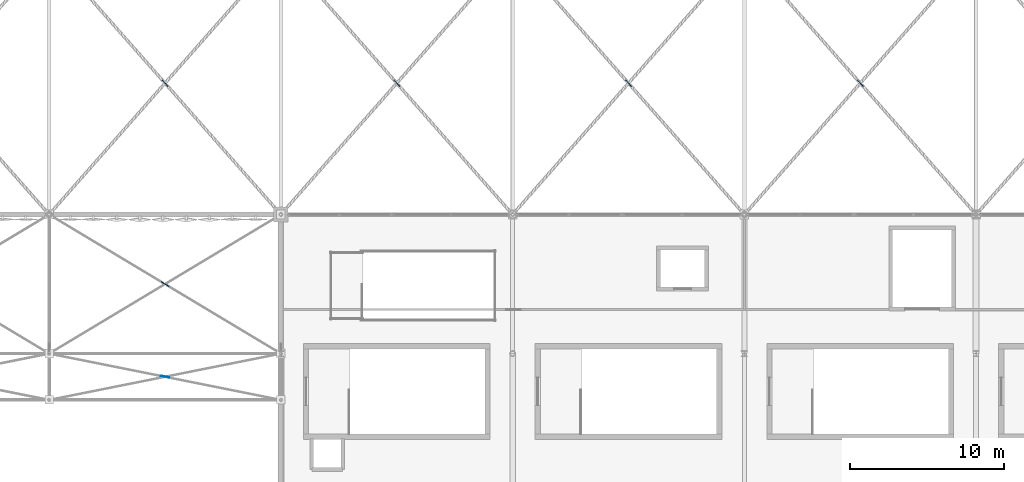
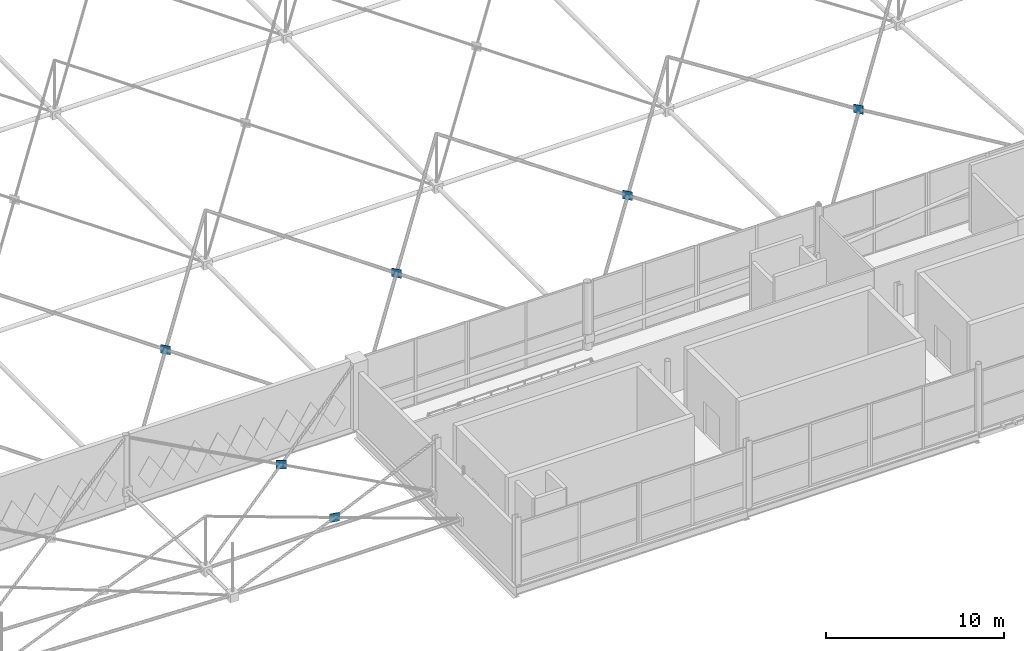
# One storey, part 179 of 224: 6 plates.
"""IFC4 building model written with IfcOpenShell, lengths in metres."""

import ifcopenshell
import ifcopenshell.guid

model = None  # the IFC model being written
_history = None  # IfcOwnerHistory: only IFC2X3 demands one
_inside = {}  # id of a spatial element -> (the spatial element, [elements in it])
_under = {}  # id of a project, library or spatial element -> (it, [spatial elements below it])
_declared = {}  # id of a project -> (the project, [libraries it declares])
_typed = {}  # id of a type object -> (the type object, [elements of that type])
_made_of = {}  # id of a material, layer set ... -> (it, [elements and type objects made of it])


def new_model(schema):
    """Start an empty IFC model of exactly this schema.

    Asked for "IFC4X3", IfcOpenShell would pick the latest addendum, in which some entities
    have other attributes; the version numbers below select the first issue.
    IFC2X3 requires an IfcOwnerHistory on every rooted entity: one is made here for all.
    """
    global model, _history
    if schema == "IFC4X3":
        model = ifcopenshell.file(schema_version=(4, 3, 0, 0))
    else:
        model = ifcopenshell.file(schema=schema)
    _inside.clear()
    _under.clear()
    _declared.clear()
    _typed.clear()
    _made_of.clear()
    _history = None
    if model.schema == "IFC2X3":
        org = make("IfcOrganization", Name="unknown")
        user = make(
            "IfcPersonAndOrganization",
            ThePerson=make("IfcPerson", FamilyName="unknown"),
            TheOrganization=org,
        )
        app = make(
            "IfcApplication",
            ApplicationDeveloper=org,
            Version="unknown",
            ApplicationFullName="unknown",
            ApplicationIdentifier="unknown",
        )
        _history = make(
            "IfcOwnerHistory",
            OwningUser=user,
            OwningApplication=app,
            ChangeAction="ADDED",
            CreationDate=0,
        )
    return model


def make(cls, **values):
    """One entity of the class cls with the attributes given. An attribute that is None is left unset."""
    return model.create_entity(
        cls, **{name: value for name, value in values.items() if value is not None}
    )


def rooted(cls, **values):
    """An entity with a GlobalId (a new one), such as an element, a storey or a relation."""
    return make(cls, GlobalId=ifcopenshell.guid.new(), OwnerHistory=_history, **values)


def si_unit(unit_type, name, prefix=None):
    """IfcSIUnit, for example si_unit("LENGTHUNIT", "METRE", prefix="MILLI")."""
    return make("IfcSIUnit", UnitType=unit_type, Prefix=prefix, Name=name)


def assignment(units):
    """IfcUnitAssignment: the units of a project."""
    return None if units is None else make("IfcUnitAssignment", Units=units)


def point(xyz):
    """IfcCartesianPoint."""
    return None if xyz is None else make("IfcCartesianPoint", Coordinates=xyz)


def direction(xyz):
    """IfcDirection."""
    return None if xyz is None else make("IfcDirection", DirectionRatios=xyz)


def frame(location, z_axis=None, x_axis=None):
    """IfcAxis2Placement3D, a coordinate frame: its origin and axes. An axis left out is left unset."""
    return make(
        "IfcAxis2Placement3D",
        Location=point(location),
        Axis=direction(z_axis),
        RefDirection=direction(x_axis),
    )


def frame_2d(location, x_axis=None):
    """IfcAxis2Placement2D, a coordinate frame in the plane: its origin and x axis."""
    return make(
        "IfcAxis2Placement2D", Location=point(location), RefDirection=direction(x_axis)
    )


def origin():
    """The frame at (0, 0, 0) with its axes left unset."""
    return frame((0.0, 0.0, 0.0))


def origin_2d():
    """The frame at (0, 0) in the plane with its x axis left unset."""
    return frame_2d((0.0, 0.0))


def place(relative_to, where):
    """IfcLocalPlacement: puts the frame where relative to a parent placement (None: the world)."""
    return make(
        "IfcLocalPlacement", PlacementRelTo=relative_to, RelativePlacement=where
    )


def context(
    kind, dimensions, precision=None, world=None, true_north=None, identifier=None
):
    """IfcGeometricRepresentationContext, for example the 3D "Model" context."""
    return make(
        "IfcGeometricRepresentationContext",
        ContextIdentifier=identifier,
        ContextType=kind,
        CoordinateSpaceDimension=dimensions,
        Precision=precision,
        WorldCoordinateSystem=world,
        TrueNorth=true_north,
    )


def subcontext(parent, identifier, kind, view, scale=None):
    """IfcGeometricRepresentationSubContext, for example "Body" below "Model"."""
    return make(
        "IfcGeometricRepresentationSubContext",
        ContextIdentifier=identifier,
        ContextType=kind,
        ParentContext=parent,
        TargetScale=scale,
        TargetView=view,
    )


def project(units=None, contexts=None):
    """IfcProject with its units and contexts."""
    return rooted(
        "IfcProject",
        Name="project",
        RepresentationContexts=contexts,
        UnitsInContext=assignment(units),
    )


def spatial(cls, under=None, at=None, **own):
    """A site, building, storey or space (cls), placed at a placement, below another one or the project."""
    s = rooted(cls, ObjectPlacement=at, **own)
    if under is not None:
        _under.setdefault(under.id(), (under, []))[1].append(s)
    return s


def profile(cls, at=None, kind="AREA", **sizes):
    """A parametric profile (cls). Its sizes go by their IFC names, for example OverallWidth=200.0."""
    return make(cls, ProfileType=kind, Position=at, **sizes)


def rectangle(**sizes):
    """IfcRectangleProfileDef."""
    return profile("IfcRectangleProfileDef", **sizes)


def extrude(swept, where, along, depth):
    """IfcExtrudedAreaSolid: the profile swept, set in the frame where, extruded along a direction by depth."""
    return make(
        "IfcExtrudedAreaSolid",
        SweptArea=swept,
        Position=where,
        ExtrudedDirection=direction(along),
        Depth=depth,
    )


def shape(context_of_items, identifier, shape_type, items):
    """IfcShapeRepresentation: the items that make up one representation, for example the "Body"."""
    return make(
        "IfcShapeRepresentation",
        ContextOfItems=context_of_items,
        RepresentationIdentifier=identifier,
        RepresentationType=shape_type,
        Items=items,
    )


def material(Name=None, Category=None):
    """IfcMaterial."""
    return make("IfcMaterial", Name=Name, Category=Category)


def layer(
    of_material, thickness, ventilated=None, Name=None, Category=None, Priority=None
):
    """IfcMaterialLayer: one layer of a wall or slab, of a material (None: an air gap)."""
    return make(
        "IfcMaterialLayer",
        Material=of_material,
        LayerThickness=thickness,
        IsVentilated=ventilated,
        Name=Name,
        Category=Category,
        Priority=Priority,
    )


def layer_set(layers, Name=None):
    """IfcMaterialLayerSet."""
    return make("IfcMaterialLayerSet", MaterialLayers=layers, LayerSetName=Name)


def made_of(thing, what):
    """Note that an element or type object is made of a material, layer set ...; save() writes the relation."""
    if what is not None:
        _made_of.setdefault(what.id(), (what, []))[1].append(thing)
    return thing


def type_object(cls, material=None, **own):
    """A type object (cls), such as IfcWallType, which elements share."""
    return made_of(rooted(cls, **own), material)


def element(
    cls,
    number,
    at=None,
    inside=None,
    cuts=None,
    type_object=None,
    material=None,
    context=None,
    identifier="Body",
    shape_type=None,
    held_by="IfcProductDefinitionShape",
    body=None,
    shapes=None,
    **own,
):
    """One element of the class cls, such as IfcWall. Its Tag is "e" and its number.

    at: its placement. inside: the storey or other place that contains it. cuts: it is an
    opening in that element (IfcRelVoidsElement). A single representation is given by context,
    identifier, shape_type and body (its items); several are given by shapes. held_by: the class
    of the entity that holds the representations. save() writes the other relations.
    """
    e = rooted(cls, Tag="e%d" % number, ObjectPlacement=at, **own)
    if body is not None:
        shapes = [shape(context, identifier, shape_type, body)]
    if shapes is not None:
        e.Representation = make(held_by, Representations=shapes)
    if inside is not None:
        _inside.setdefault(inside.id(), (inside, []))[1].append(e)
    if cuts is not None:
        rooted(
            "IfcRelVoidsElement", RelatingBuildingElement=cuts, RelatedOpeningElement=e
        )
    if type_object is not None:
        _typed.setdefault(type_object.id(), (type_object, []))[1].append(e)
    return made_of(e, material)


def aggregate(whole, parts):
    """IfcRelAggregates: a whole, such as a stair, and the parts it consists of."""
    return rooted("IfcRelAggregates", RelatingObject=whole, RelatedObjects=parts)


def save(model, path):
    """Write the relations noted so far, then the file.

    IfcRelAggregates (storeys below a building ...), IfcRelContainedInSpatialStructure (elements
    in a storey), IfcRelDefinesByType, IfcRelAssociatesMaterial and IfcRelDeclares: one each for
    every whole, place, type object, material and project.
    """
    for whole, parts in _under.values():
        aggregate(whole, parts)
    for where, things in _inside.values():
        rooted(
            "IfcRelContainedInSpatialStructure",
            RelatedElements=things,
            RelatingStructure=where,
        )
    for kind, things in _typed.values():
        rooted("IfcRelDefinesByType", RelatedObjects=things, RelatingType=kind)
    for what, things in _made_of.values():
        rooted("IfcRelAssociatesMaterial", RelatedObjects=things, RelatingMaterial=what)
    for by, libraries in _declared.values():
        rooted("IfcRelDeclares", RelatingContext=by, RelatedDefinitions=libraries)
    model.write(path)


model = new_model("IFC4")

# Units and contexts
model_context = context("Model", 3, precision=1e-05, world=origin(), true_north=direction((0.0, 1.0)))
body_context = subcontext(model_context, "Body", "Model", "MODEL_VIEW")
ifc_project = project(units=[si_unit("LENGTHUNIT", "METRE"), si_unit("AREAUNIT", "SQUARE_METRE"), si_unit("VOLUMEUNIT", "CUBIC_METRE"), si_unit("PLANEANGLEUNIT", "RADIAN"), si_unit("MASSUNIT", "GRAM", prefix="KILO")], contexts=[model_context])

# Site, building, storey
site_placement = place(None, origin())
site = spatial("IfcSite", under=ifc_project, at=site_placement, CompositionType="ELEMENT")
building_placement = place(site_placement, origin())
building = spatial("IfcBuilding", under=site, at=building_placement, Name="Qamarlyn Nura Convention Centre", CompositionType="ELEMENT")
storey_placement = place(building_placement, frame((0.0, 0.0, 10.800048828125)))
storey = spatial("IfcBuildingStorey", under=building, at=storey_placement, Name="L02", CompositionType="ELEMENT", Elevation=10.800048828125)

# Plates
ifc_material = material(Name="Structural steel ASTM A572 Grade 50", Category="steel")
ifc_layer = layer(ifc_material, 0.035888671875, Name="GP-SN1")
ifc_layer_set = layer_set([ifc_layer], Name="Structural steel ASTM A572 Grade 50")
plate_type = type_object("IfcPlateType", Name="GP-SN1", PredefinedType="USERDEFINED", material=ifc_layer_set)
for number, where, z_axis, x_axis, name in (
    (1, (52.5, 7.5, 2.309814453125), (0.0, 0.0, 1.0), (-0.980580786845, 0.196115579366, 0.0), "Space frame X-brace crossing gusset plate 5-0"),
    (2, (52.5, 13.5, 2.309814453125), (0.0, 0.0, 1.0), (-0.857492535386, 0.514496405972, 0.0), "Space frame X-brace crossing gusset plate 5-1"),
    (3, (52.5, 26.5, 2.309814453125), (0.0, 0.0, 1.0), (-0.661622086957, 0.749837458421, 0.0), "Space frame X-brace crossing gusset plate 5-2"),
    (4, (67.5, 26.5, 2.309814453125), (0.0, 0.0, 1.0), (-0.661622086957, 0.749837458421, 0.0), "Space frame X-brace crossing gusset plate 6-2"),
    (5, (82.5, 26.5, 2.40478515625), (0.0, 0.0, 1.0), (-0.661622086957, 0.749837458421, 0.0), "Space frame X-brace crossing gusset plate 7-2"),
    (6, (97.5, 26.5, 3.06689453125), (0.0, 0.0, 1.0), (-0.661622086957, 0.749837458421, 0.0), "Space frame X-brace crossing gusset plate 8-2"),
):
    element("IfcPlate", number, at=place(storey_placement, frame(where, z_axis=z_axis, x_axis=x_axis)), inside=storey, type_object=plate_type, Name=name, ObjectType="GUSSET PLATE", PredefinedType="USERDEFINED", context=body_context, shape_type="SweptSolid", body=[
        extrude(rectangle(XDim=0.580078125, YDim=0.035888671875, at=origin_2d()), origin(), (0.0, 0.0, 1.0), 0.580078125),
    ])

save(model, "model.ifc")
